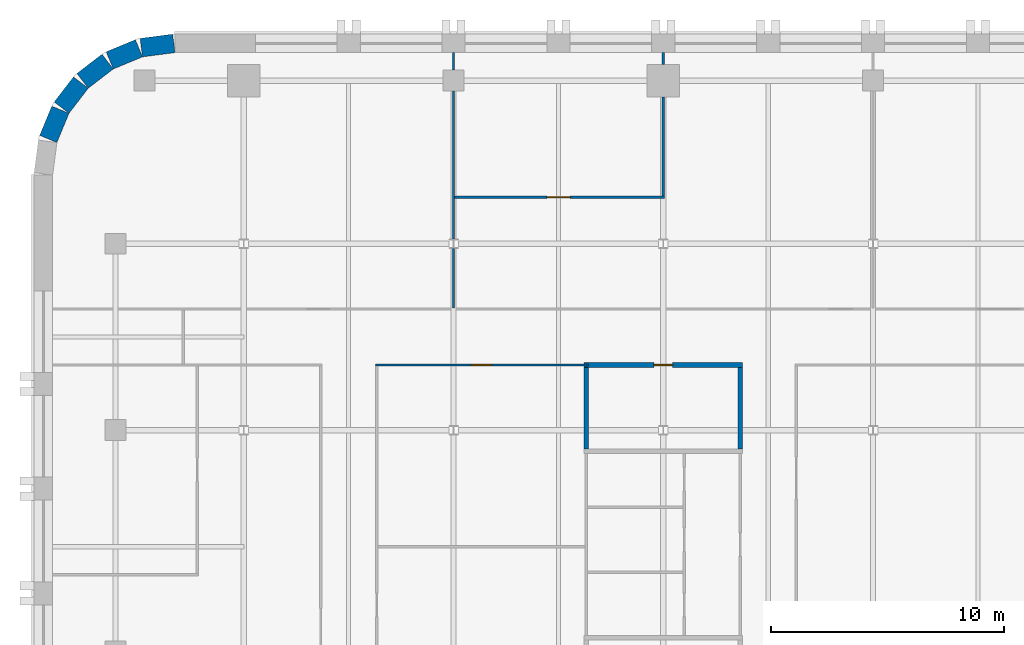
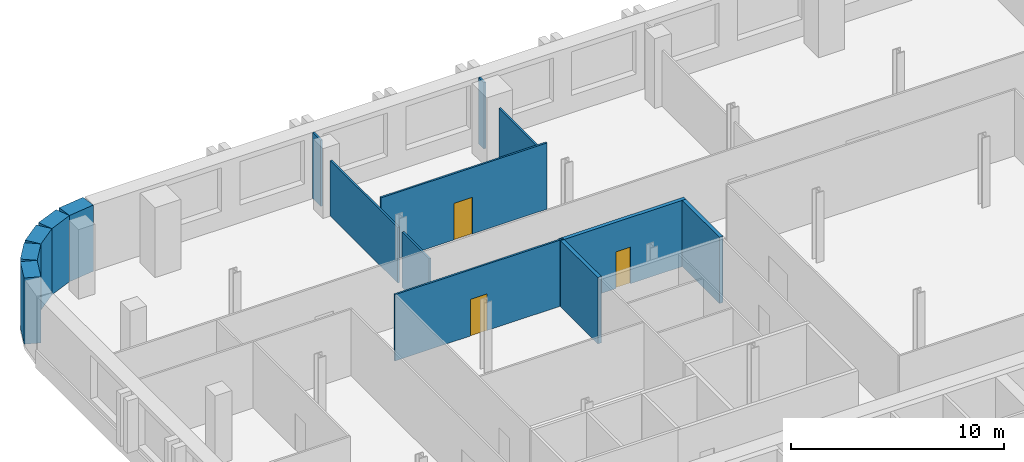
# One storey, part 6 of 10: 15 walls, 3 doors, 3 openings.
"""IFC4 building model written with IfcOpenShell, lengths in metres."""

from ifc_helpers import new_model, si_unit, direction, frame, frame_2d, origin, place, context, subcontext, project, spatial, rectangle, extrude, material, layer, layer_set, type_object, element, fill, save


model = new_model("IFC4")

# Units and contexts
model_context = context("Model", 3, precision=1e-05, world=origin(), true_north=direction((0.0, 1.0)))
body_context = subcontext(model_context, "Body", "Model", "MODEL_VIEW")
ifc_project = project(units=[si_unit("LENGTHUNIT", "METRE"), si_unit("AREAUNIT", "SQUARE_METRE"), si_unit("VOLUMEUNIT", "CUBIC_METRE"), si_unit("PLANEANGLEUNIT", "RADIAN"), si_unit("MASSUNIT", "GRAM", prefix="KILO")], contexts=[model_context])

# Site, building, storey
site_placement = place(None, origin())
site = spatial("IfcSite", under=ifc_project, at=site_placement, CompositionType="ELEMENT")
building_placement = place(site_placement, origin())
building = spatial("IfcBuilding", under=site, at=building_placement, Name="Zellij Exchange Tower", CompositionType="ELEMENT")
storey_placement = place(building_placement, frame((0.0, 0.0, 168.5)))
storey = spatial("IfcBuildingStorey", under=building, at=storey_placement, Name="L38", CompositionType="ELEMENT", Elevation=168.5)

# Walls
ifc_material_1 = material(Name="Precast concrete C40/50", Category="concrete")
ifc_layer_1 = layer(ifc_material_1, 0.800048828125)
ifc_layer_set_1 = layer_set([ifc_layer_1], Name="Precast concrete C40/50")
wall_type_1 = type_object("IfcWallType", Name="ENV-EW1 Precast stone-piered wall 800", PredefinedType="SOLIDWALL", material=ifc_layer_set_1)
wall_1_placement = place(storey_placement, frame((-29.999755859375, 30.5966796875, 0.0), z_axis=(0.0, 0.0, 1.0), x_axis=(-0.99144603414, -0.130517283865, 0.0)))
element("IfcWall", 1, at=wall_1_placement, inside=storey, type_object=wall_type_1, Name="fac.L38.15", PredefinedType="SOLIDWALL", context=body_context, shape_type="SweptSolid", body=[
    extrude(rectangle(XDim=1.408447265625, YDim=0.800048828125, at=frame_2d((0.7041015625, 0.0))), origin(), (0.0, 0.0, 1.0), 3.800048828125),
])
wall_2_placement = place(storey_placement, frame((-31.497314453125, 30.3857421875, 0.0), z_axis=(0.0, 0.0, 1.0), x_axis=(-0.923847774587, -0.38276009378, 0.0)))
element("IfcWall", 2, at=wall_2_placement, inside=storey, type_object=wall_type_1, Name="fac.L38.16", PredefinedType="SOLIDWALL", context=body_context, shape_type="SweptSolid", body=[
    extrude(rectangle(XDim=1.35546875, YDim=0.800048828125, at=frame_2d((0.677734375, 0.0))), origin(), (0.0, 0.0, 1.0), 3.800048828125),
])
for number, where, z_axis, x_axis, name in (
    (3, (-32.840087890625, 29.814697265625, 0.0), (0.0, 0.0, 1.0), (-0.793272915452, -0.608866226366, 0.0), "fac.L38.17"),
    (4, (-33.9892578125, 28.91552734375, 0.0), (0.0, 0.0, 1.0), (-0.608866226366, -0.793272915452, 0.0), "fac.L38.18"),
):
    element("IfcWall", number, at=place(storey_placement, frame(where, z_axis=z_axis, x_axis=x_axis)), inside=storey, type_object=wall_type_1, Name=name, PredefinedType="SOLIDWALL", context=body_context, shape_type="SweptSolid", body=[
        extrude(rectangle(XDim=1.355712890625, YDim=0.800048828125, at=frame_2d((0.677734375, 0.0))), origin(), (0.0, 0.0, 1.0), 3.800048828125),
    ])
wall_3_placement = place(storey_placement, frame((-34.866943359375, 27.74951171875, 0.0), z_axis=(0.0, 0.0, 1.0), x_axis=(-0.38276009378, -0.923847774587, 0.0)))
element("IfcWall", 5, at=wall_3_placement, inside=storey, type_object=wall_type_1, Name="fac.L38.19", PredefinedType="SOLIDWALL", context=body_context, shape_type="SweptSolid", body=[
    extrude(rectangle(XDim=1.35546875, YDim=0.800048828125, at=frame_2d((0.677734375, 0.0))), origin(), (0.0, 0.0, 1.0), 3.800048828125),
])
ifc_material_2 = material(Name="Blockwork partition", Category="masonry")
ifc_layer_2 = layer(ifc_material_2, 0.199951171875)
ifc_layer_set_2 = layer_set([ifc_layer_2], Name="Blockwork partition")
wall_type_2 = type_object("IfcWallType", Name="FIT-BLOCKWORK-200", PredefinedType="PARTITIONING", material=ifc_layer_set_2)
for number, where, z_axis, x_axis, name in (
    (6, (-12.300048828125, 13.199951171875, 0.0), (0.0, 0.0, 1.0), (0.0, 1.0, 0.0), "FIT-BLOCKWORK-200 032"),
    (7, (-5.699951171875, 13.199951171875, 0.0), (0.0, 0.0, 1.0), (0.0, 1.0, 0.0), "FIT-BLOCKWORK-200 033"),
):
    element("IfcWall", number, at=place(storey_placement, frame(where, z_axis=z_axis, x_axis=x_axis)), inside=storey, type_object=wall_type_2, Name=name, PredefinedType="PARTITIONING", context=body_context, shape_type="SweptSolid", body=[
        extrude(rectangle(XDim=3.5, YDim=0.199951171875, at=frame_2d((1.75, 0.0))), origin(), (0.0, 0.0, 1.0), 3.800048828125),
    ])

# Wall, opening, door
wall_4_placement = place(storey_placement, frame((-12.39990234375, 16.800048828125, 0.0), z_axis=(0.0, 0.0, 1.0), x_axis=(1.0, 0.0, 0.0)))
wall_4 = element("IfcWall", 8, at=wall_4_placement, inside=storey, type_object=wall_type_2, Name="FIT-BLOCKWORK-200 037", PredefinedType="PARTITIONING", context=body_context, shape_type="SweptSolid", body=[
    extrude(rectangle(XDim=6.7998046875, YDim=0.199951171875, at=frame_2d((3.39990234375, 0.0))), origin(), (0.0, 0.0, 1.0), 3.800048828125),
])
opening_1_placement = place(wall_4_placement, frame((3.0, 0.0, 0.0)))
opening_1 = element("IfcOpeningElement", 9, at=opening_1_placement, cuts=wall_4, Name="Opening O3A.18", PredefinedType="OPENING", context=body_context, shape_type="SweptSolid", body=[
    extrude(rectangle(XDim=0.800048828125, YDim=2.10009765625, at=frame_2d((0.39990234375, 1.050048828125))), frame((0.0, 0.11181640625, 0.0), z_axis=(0.0, -1.0, 0.0), x_axis=(1.0, 0.0, 0.0)), (0.0, 0.0, 1.0), 0.223876953125),
])
ifc_material_3 = material(Name="Timber door set", Category="wood")
door_type_1 = type_object("IfcDoorType", Name="FIT-D6-SERVICE-800X2100", OperationType="SINGLE_SWING_LEFT", PredefinedType="DOOR", material=ifc_material_3)
door_1_placement = place(opening_1_placement, origin())
door_1 = element("IfcDoor", 10, at=door_1_placement, inside=storey, type_object=door_type_1, Name="Door O3A.18", OperationType="SINGLE_SWING_RIGHT", OverallHeight=2.10009765625, OverallWidth=0.800048828125, PredefinedType="DOOR", context=body_context, shape_type="SweptSolid", body=[
    extrude(rectangle(XDim=0.800048828125, YDim=2.10009765625, at=frame_2d((0.39990234375, 1.050048828125))), frame((0.0, 0.02490234375, 0.0), z_axis=(0.0, -1.0, 0.0), x_axis=(1.0, 0.0, 0.0)), (0.0, 0.0, 1.0), 0.050048828125),
])
fill(opening_1, door_1)

ifc_material_4 = material(Name="Gypsum board partition on steel studs", Category="steel")
ifc_layer_3 = layer(ifc_material_4, 0.10009765625)
ifc_layer_set_3 = layer_set([ifc_layer_3], Name="Gypsum board partition on steel studs")
wall_type_3 = type_object("IfcWallType", Name="FIT-PARTITION-100", PredefinedType="PARTITIONING", material=ifc_layer_set_3)
wall_5_placement = place(storey_placement, frame((-21.35009765625, 16.800048828125, 0.0), z_axis=(0.0, 0.0, 1.0), x_axis=(1.0, 0.0, 0.0)))
wall_5 = element("IfcWall", 11, at=wall_5_placement, inside=storey, type_object=wall_type_3, Name="FIT-PARTITION-100 036", PredefinedType="PARTITIONING", context=body_context, shape_type="SweptSolid", body=[
    extrude(rectangle(XDim=9.150146484375, YDim=0.10009765625, at=frame_2d((4.5751953125, 0.0))), origin(), (0.0, 0.0, 1.0), 3.800048828125),
])
opening_2_placement = place(wall_5_placement, frame((4.10009765625, 0.0, 0.0)))
opening_2 = element("IfcOpeningElement", 12, at=opening_2_placement, cuts=wall_5, Name="Opening O3A.17", PredefinedType="OPENING", context=body_context, shape_type="SweptSolid", body=[
    extrude(rectangle(XDim=0.89990234375, YDim=2.10009765625, at=frame_2d((0.449951171875, 1.050048828125))), frame((0.0, 0.06201171875, 0.0), z_axis=(0.0, -1.0, 0.0), x_axis=(1.0, 0.0, 0.0)), (0.0, 0.0, 1.0), 0.1240234375),
])
door_type_2 = type_object("IfcDoorType", Name="FIT-D1-ROOM-900X2100", OperationType="SINGLE_SWING_LEFT", PredefinedType="DOOR", material=ifc_material_3)
door_2_placement = place(opening_2_placement, origin())
door_2 = element("IfcDoor", 13, at=door_2_placement, inside=storey, type_object=door_type_2, Name="Door O3A.17", OperationType="SINGLE_SWING_LEFT", OverallHeight=2.10009765625, OverallWidth=0.89990234375, PredefinedType="DOOR", context=body_context, shape_type="SweptSolid", body=[
    extrude(rectangle(XDim=0.89990234375, YDim=2.10009765625, at=frame_2d((0.449951171875, 1.050048828125))), frame((0.0, 0.02490234375, 0.0), z_axis=(0.0, -1.0, 0.0), x_axis=(1.0, 0.0, 0.0)), (0.0, 0.0, 1.0), 0.050048828125),
])
fill(opening_2, door_2)

# Walls
wall_6_placement = place(storey_placement, frame((-18.0, 19.25, 0.0), z_axis=(0.0, 0.0, 1.0), x_axis=(0.0, 1.0, 0.0)))
element("IfcWall", 14, at=wall_6_placement, inside=storey, type_object=wall_type_3, Name="FIT-PARTITION-100 042", PredefinedType="PARTITIONING", context=body_context, shape_type="SweptSolid", body=[
    extrude(rectangle(XDim=2.537841796875, YDim=0.10009765625, at=frame_2d((1.26904296875, 0.0))), origin(), (0.0, 0.0, 1.0), 3.19287109375),
])
wall_7_placement = place(storey_placement, frame((-18.0, 22.212158203125, 0.0), z_axis=(0.0, 0.0, 1.0), x_axis=(0.0, 1.0, 0.0)))
element("IfcWall", 15, at=wall_7_placement, inside=storey, type_object=wall_type_3, Name="FIT-PARTITION-100 043", PredefinedType="PARTITIONING", context=body_context, shape_type="SweptSolid", body=[
    extrude(rectangle(XDim=6.337890625, YDim=0.10009765625, at=frame_2d((3.1689453125, 0.0))), origin(), (0.0, 0.0, 1.0), 3.19287109375),
])
wall_8_placement = place(storey_placement, frame((-18.0, 29.449951171875, 0.0), z_axis=(0.0, 0.0, 1.0), x_axis=(0.0, 1.0, 0.0)))
element("IfcWall", 16, at=wall_8_placement, inside=storey, type_object=wall_type_3, Name="FIT-PARTITION-100 044", PredefinedType="PARTITIONING", context=body_context, shape_type="SweptSolid", body=[
    extrude(rectangle(XDim=0.75, YDim=0.10009765625, at=frame_2d((0.375, 0.0))), origin(), (0.0, 0.0, 1.0), 3.800048828125),
])

# Wall, opening, door
wall_9_placement = place(storey_placement, frame((-17.949951171875, 24.0, 0.0), z_axis=(0.0, 0.0, 1.0), x_axis=(1.0, 0.0, 0.0)))
wall_9 = element("IfcWall", 17, at=wall_9_placement, inside=storey, type_object=wall_type_3, Name="FIT-PARTITION-100 051", PredefinedType="PARTITIONING", context=body_context, shape_type="SweptSolid", body=[
    extrude(rectangle(XDim=9.0, YDim=0.10009765625, at=frame_2d((4.5, 0.0))), origin(), (0.0, 0.0, 1.0), 3.800048828125),
])
opening_3_placement = place(wall_9_placement, frame((3.949951171875, 0.0, 0.0)))
opening_3 = element("IfcOpeningElement", 18, at=opening_3_placement, cuts=wall_9, Name="Opening O3A.23", PredefinedType="OPENING", context=body_context, shape_type="SweptSolid", body=[
    extrude(rectangle(XDim=1.0, YDim=2.10009765625, at=frame_2d((0.5, 1.050048828125))), frame((0.0, 0.06201171875, 0.0), z_axis=(0.0, -1.0, 0.0), x_axis=(1.0, 0.0, 0.0)), (0.0, 0.0, 1.0), 0.1240234375),
])
door_type_3 = type_object("IfcDoorType", Name="FIT-D2-WIDE-1000X2100", OperationType="SINGLE_SWING_LEFT", PredefinedType="DOOR", material=ifc_material_3)
door_3_placement = place(opening_3_placement, origin())
door_3 = element("IfcDoor", 19, at=door_3_placement, inside=storey, type_object=door_type_3, Name="Door O3A.23", OperationType="SINGLE_SWING_RIGHT", OverallHeight=2.10009765625, OverallWidth=1.0, PredefinedType="DOOR", context=body_context, shape_type="SweptSolid", body=[
    extrude(rectangle(XDim=1.0, YDim=2.10009765625, at=frame_2d((0.5, 1.050048828125))), frame((0.0, 0.02490234375, 0.0), z_axis=(0.0, -1.0, 0.0), x_axis=(1.0, 0.0, 0.0)), (0.0, 0.0, 1.0), 0.050048828125),
])
fill(opening_3, door_3)

# Walls
wall_10_placement = place(storey_placement, frame((-9.0, 24.050048828125, 0.0), z_axis=(0.0, 0.0, 1.0), x_axis=(0.0, 1.0, 0.0)))
element("IfcWall", 20, at=wall_10_placement, inside=storey, type_object=wall_type_3, Name="FIT-PARTITION-100 052", PredefinedType="PARTITIONING", context=body_context, shape_type="SweptSolid", body=[
    extrude(rectangle(XDim=4.25, YDim=0.10009765625, at=frame_2d((2.125, 0.0))), origin(), (0.0, 0.0, 1.0), 3.19287109375),
])
wall_11_placement = place(storey_placement, frame((-9.0, 29.699951171875, 0.0), z_axis=(0.0, 0.0, 1.0), x_axis=(0.0, 1.0, 0.0)))
element("IfcWall", 21, at=wall_11_placement, inside=storey, type_object=wall_type_3, Name="FIT-PARTITION-100 053", PredefinedType="PARTITIONING", context=body_context, shape_type="SweptSolid", body=[
    extrude(rectangle(XDim=0.5, YDim=0.10009765625, at=frame_2d((0.25, 0.0))), origin(), (0.0, 0.0, 1.0), 3.800048828125),
])

save(model, "model.ifc")
